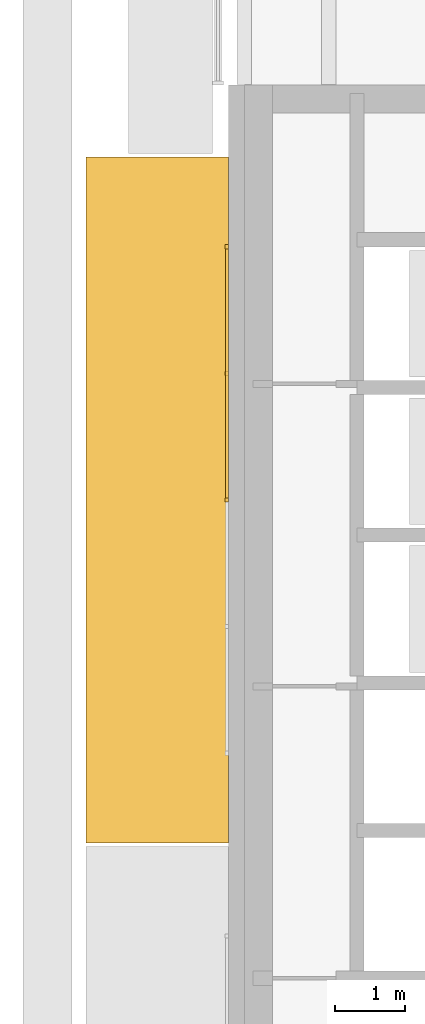
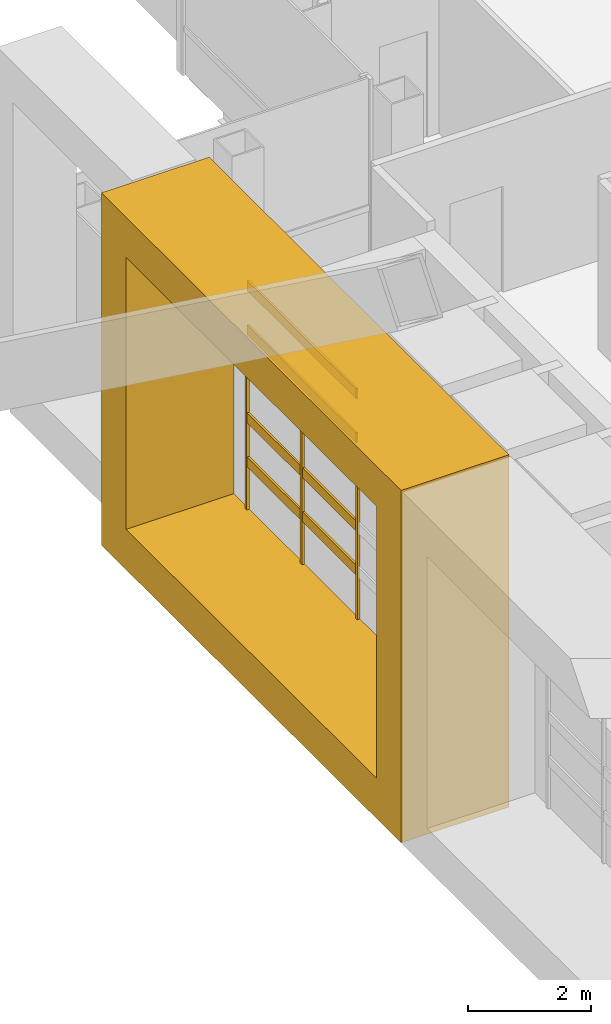
# One storey, part 18 of 23: 8 coverings.
"""IFC4 building model written with IfcOpenShell, lengths in metres."""

from ifc_helpers import new_model, si_unit, direction, frame, origin, origin_2d, place, context, subcontext, project, spatial, polyline, rectangle, outline, extrude, material, type_object, element, save


model = new_model("IFC4")

# Units and contexts
model_context = context("Model", 3, precision=1e-05, world=origin(), true_north=direction((0.0, 1.0)))
body_context = subcontext(model_context, "Body", "Model", "MODEL_VIEW")
ifc_project = project(units=[si_unit("LENGTHUNIT", "METRE"), si_unit("AREAUNIT", "SQUARE_METRE"), si_unit("VOLUMEUNIT", "CUBIC_METRE"), si_unit("PLANEANGLEUNIT", "RADIAN"), si_unit("MASSUNIT", "GRAM", prefix="KILO")], contexts=[model_context])

# Site, building, storey
site_placement = place(None, origin())
site = spatial("IfcSite", under=ifc_project, at=site_placement, CompositionType="ELEMENT")
building_placement = place(site_placement, origin())
building = spatial("IfcBuilding", under=site, at=building_placement, Name="Cobrizo Arcos Hotel Tower", CompositionType="ELEMENT")
storey_placement = place(building_placement, frame((0.0, 0.0, 255.0)))
storey = spatial("IfcBuildingStorey", under=building, at=storey_placement, Name="L67", CompositionType="ELEMENT", Elevation=255.0)

# Coverings
ifc_material_1 = material(Name="Aluminium 6063-T6 anodised bronze", Category="aluminium")
covering_type_1 = type_object("IfcCoveringType", Name="FIN-F 2025", PredefinedType="CLADDING", material=ifc_material_1)
covering_placement = place(storey_placement, frame((-20.625, 9.77490234375, 0.0), z_axis=(-1.0, 0.0, 0.0), x_axis=(0.0, -1.0, 0.0)))
element("IfcCovering", 1, at=covering_placement, inside=storey, type_object=covering_type_1, Name="Fin frame 432", PredefinedType="CLADDING", context=body_context, shape_type="SweptSolid", body=[
    extrude(outline(polyline([(0.0, 7.0), (0.0, 0.0), (9.75, 0.0), (9.75, 7.0), (0.0, 7.0)]), holes=[polyline([(8.949951171875, 0.800048828125), (0.800048828125, 0.800048828125), (0.800048828125, 6.199951171875), (8.949951171875, 6.199951171875), (8.949951171875, 0.800048828125)])]), origin(), (0.0, 0.0, 1.0), 2.02490234375),
])
ifc_material_2 = material(Name="Aluminium 6063-T6 anodised pale", Category="aluminium")
covering_type_2 = type_object("IfcCoveringType", Name="RS-2 rainscreen rib 60x50", PredefinedType="CLADDING", material=ifc_material_2)
for number, where, z_axis, x_axis, name in (
    (2, (-20.64990234375, 8.5, 0.800048828125), (0.0, 0.0, 1.0), (0.0, -1.0, 0.0), "Rainscreen rib 331"),
    (3, (-20.64990234375, 6.699951171875, 0.800048828125), (0.0, 0.0, 1.0), (0.0, -1.0, 0.0), "Rainscreen rib 332"),
    (4, (-20.64990234375, 4.89990234375, 0.800048828125), (0.0, 0.0, 1.0), (0.0, -1.0, 0.0), "Rainscreen rib 333"),
):
    element("IfcCovering", number, at=place(storey_placement, frame(where, z_axis=z_axis, x_axis=x_axis)), inside=storey, type_object=covering_type_2, Name=name, PredefinedType="CLADDING", context=body_context, shape_type="SweptSolid", body=[
        extrude(rectangle(XDim=0.06005859375, YDim=0.050048828125, at=origin_2d()), origin(), (0.0, 0.0, 1.0), 5.39990234375),
    ])
covering_type_3 = type_object("IfcCoveringType", Name="RS-3 rainscreen louvre slat 200x40", PredefinedType="CLADDING", material=ifc_material_2)
for number, where, z_axis, x_axis, name in (
    (5, (-20.64501953125, 6.699951171875, 1.64990234375), (0.0, 0.0, 1.0), (0.0, -1.0, 0.0), "Rainscreen slat 197"),
    (6, (-20.64501953125, 6.699951171875, 2.52490234375), (0.0, 0.0, 1.0), (0.0, -1.0, 0.0), "Rainscreen slat 198"),
    (7, (-20.64501953125, 6.699951171875, 4.27490234375), (0.0, 0.0, 1.0), (0.0, -1.0, 0.0), "Rainscreen slat 201"),
    (8, (-20.64501953125, 6.699951171875, 5.14990234375), (0.0, 0.0, 1.0), (0.0, -1.0, 0.0), "Rainscreen slat 202"),
):
    element("IfcCovering", number, at=place(storey_placement, frame(where, z_axis=z_axis, x_axis=x_axis)), inside=storey, type_object=covering_type_3, Name=name, PredefinedType="CLADDING", context=body_context, shape_type="SweptSolid", body=[
        extrude(rectangle(XDim=3.5400390625, YDim=0.0400390625, at=origin_2d()), origin(), (0.0, 0.0, 1.0), 0.199951171875),
    ])

save(model, "model.ifc")
